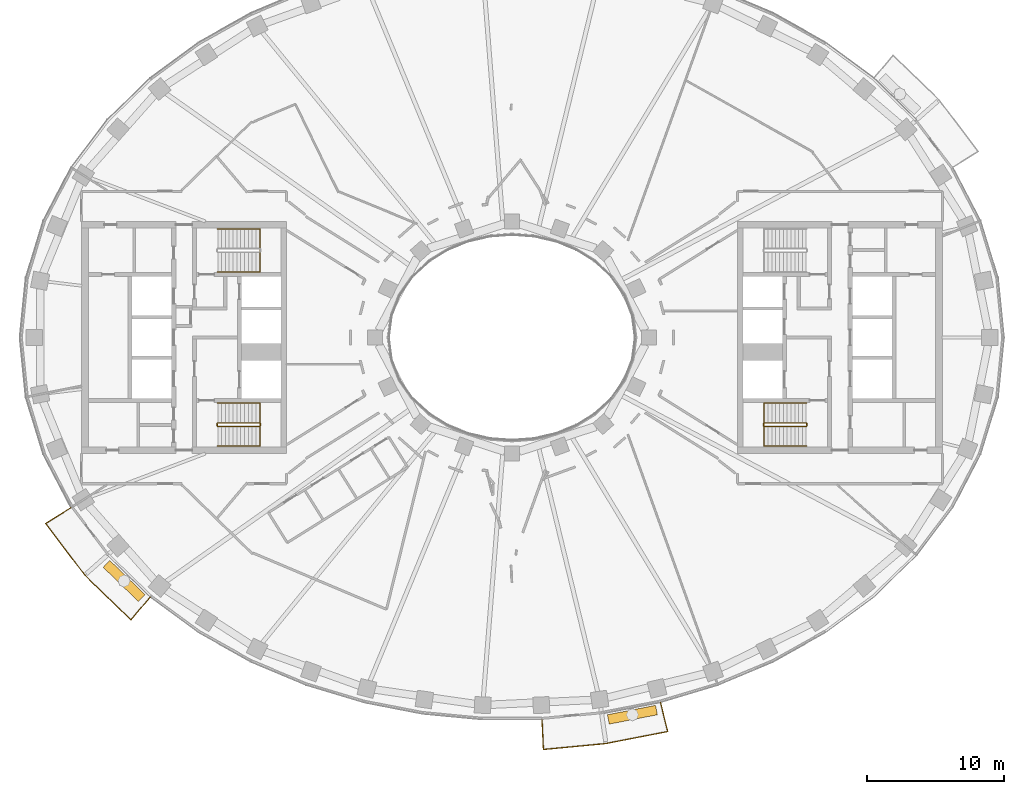
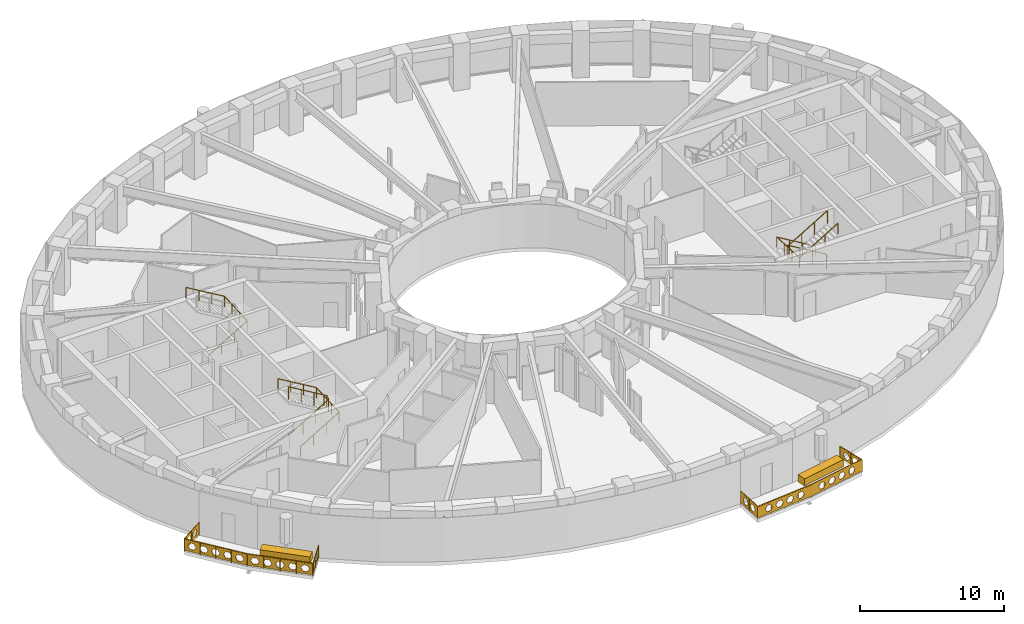
# One storey, part 14 of 16: 7 railings, 2 coverings.
"""IFC4 building model written with IfcOpenShell, lengths in metres."""

from ifc_helpers import new_model, si_unit, direction, frame, origin, origin_2d, place, context, subcontext, project, spatial, polyline, rectangle, outline, extrude, material, type_object, element, save


model = new_model("IFC4")

# Units and contexts
model_context = context("Model", 3, precision=1e-05, world=origin(), true_north=direction((0.0, 1.0)))
body_context = subcontext(model_context, "Body", "Model", "MODEL_VIEW")
ifc_project = project(units=[si_unit("LENGTHUNIT", "METRE"), si_unit("AREAUNIT", "SQUARE_METRE"), si_unit("VOLUMEUNIT", "CUBIC_METRE"), si_unit("PLANEANGLEUNIT", "RADIAN"), si_unit("MASSUNIT", "GRAM", prefix="KILO")], contexts=[model_context])

# Site, building, storey
site_placement = place(None, origin())
site = spatial("IfcSite", under=ifc_project, at=site_placement, CompositionType="ELEMENT")
building_placement = place(site_placement, origin())
building = spatial("IfcBuilding", under=site, at=building_placement, Name="Noorbagh Ring Tower", CompositionType="ELEMENT")
storey_placement = place(building_placement, frame((0.0, 0.0, 150.0)))
storey = spatial("IfcBuildingStorey", under=building, at=storey_placement, Name="L34", CompositionType="ELEMENT", Elevation=150.0)

# Railings
ifc_material_1 = material(Name="Stainless steel", Category="steel")
railing_type_1 = type_object("IfcRailingType", Name="CORE-STAIR-GUARD", PredefinedType="GUARDRAIL", material=ifc_material_1)
railing_1_placement = place(storey_placement, frame((-21.580078125, -6.449951171875, 0.0)))
element("IfcRailing", 1, at=railing_1_placement, inside=storey, type_object=railing_type_1, Name="L34 ST2 stair guard", PredefinedType="GUARDRAIL", context=body_context, shape_type="SweptSolid", body=[
    extrude(rectangle(XDim=0.048095703125, YDim=0.048095703125, at=origin_2d()), frame((0.0, 0.0, 1.076171875), z_axis=(0.0, 1.0, 0.0), x_axis=(-1.0, 0.0, 0.0)), (0.0, 0.0, 1.0), 0.14990234375),
    extrude(rectangle(XDim=0.048095703125, YDim=0.048095703125, at=origin_2d()), frame((0.0, 0.14990234375, 1.076171875), z_axis=(0.188775798145, -0.754182335027, 0.628945707965), x_axis=(0.970072785993, 0.242814311512, 0.0)), (0.0, 0.0, 1.0), 0.26513671875),
    extrude(rectangle(XDim=0.048095703125, YDim=0.048095703125, at=origin_2d()), frame((0.050048828125, -0.050048828125, 1.24267578125), z_axis=(0.859308565015, 0.0, 0.511457515432), x_axis=(0.0, 1.0, 0.0)), (0.0, 0.0, 1.0), 3.58447265625),
    extrude(rectangle(XDim=0.048095703125, YDim=0.048095703125, at=origin_2d()), frame((3.130126953125, -0.050048828125, 3.076171875), z_axis=(0.707106781187, 0.707106781187, 0.0), x_axis=(-0.707106781187, 0.707106781187, 0.0)), (0.0, 0.0, 1.0), 0.07080078125),
    extrude(rectangle(XDim=0.048095703125, YDim=0.048095703125, at=origin_2d()), frame((3.18017578125, 0.0, 3.076171875), z_axis=(0.0, 1.0, 0.0), x_axis=(-1.0, 0.0, 0.0)), (0.0, 0.0, 1.0), 0.14990234375),
    extrude(rectangle(XDim=0.048095703125, YDim=0.048095703125, at=origin_2d()), frame((3.18017578125, 0.14990234375, 3.076171875), z_axis=(-0.27628659633, 0.27628659633, 0.920506074601), x_axis=(-0.707106781187, -0.707106781187, 0.0)), (0.0, 0.0, 1.0), 0.18115234375),
    extrude(rectangle(XDim=0.048095703125, YDim=0.048095703125, at=origin_2d()), frame((3.130126953125, 0.199951171875, 3.24267578125), z_axis=(-0.859308565015, 0.0, 0.511457515432), x_axis=(0.0, -1.0, 0.0)), (0.0, 0.0, 1.0), 3.58447265625),
    extrude(rectangle(XDim=0.0419921875, YDim=0.0419921875, at=origin_2d()), origin(), (0.0, 0.0, 1.0), 1.052001953125),
    extrude(rectangle(XDim=0.0419921875, YDim=0.0419921875, at=origin_2d()), frame((1.07666015625, -0.050048828125, 0.77783203125)), (0.0, 0.0, 1.0), 1.052001953125),
    extrude(rectangle(XDim=0.0419921875, YDim=0.0419921875, at=origin_2d()), frame((2.103515625, -0.050048828125, 1.388916015625)), (0.0, 0.0, 1.0), 1.052001953125),
    extrude(rectangle(XDim=0.0419921875, YDim=0.0419921875, at=origin_2d()), frame((3.130126953125, -0.050048828125, 2.0)), (0.0, 0.0, 1.0), 1.052001953125),
    extrude(rectangle(XDim=0.0419921875, YDim=0.0419921875, at=origin_2d()), frame((3.130126953125, 0.199951171875, 2.166748046875)), (0.0, 0.0, 1.0), 1.052001953125),
    extrude(rectangle(XDim=0.0419921875, YDim=0.0419921875, at=origin_2d()), frame((2.103515625, 0.199951171875, 2.77783203125)), (0.0, 0.0, 1.0), 1.052001953125),
    extrude(rectangle(XDim=0.0419921875, YDim=0.0419921875, at=origin_2d()), frame((1.07666015625, 0.199951171875, 3.388916015625)), (0.0, 0.0, 1.0), 1.052001953125),
    extrude(rectangle(XDim=0.0419921875, YDim=0.0419921875, at=origin_2d()), frame((0.050048828125, 0.199951171875, 4.0)), (0.0, 0.0, 1.0), 1.052001953125),
])
railing_2_placement = place(storey_placement, frame((21.580078125, -6.300048828125, 0.0)))
element("IfcRailing", 2, at=railing_2_placement, inside=storey, type_object=railing_type_1, Name="L34 ST4 stair guard", PredefinedType="GUARDRAIL", context=body_context, shape_type="SweptSolid", body=[
    extrude(rectangle(XDim=0.048095703125, YDim=0.048095703125, at=origin_2d()), frame((0.0, 0.0, 1.076171875), z_axis=(0.0, -1.0, 0.0), x_axis=(1.0, 0.0, 0.0)), (0.0, 0.0, 1.0), 0.14990234375),
    extrude(rectangle(XDim=0.048095703125, YDim=0.048095703125, at=origin_2d()), frame((0.0, -0.14990234375, 1.076171875), z_axis=(-0.188775798145, 0.754182335027, 0.628945707965), x_axis=(-0.970072785993, -0.242814311512, 0.0)), (0.0, 0.0, 1.0), 0.26513671875),
    extrude(rectangle(XDim=0.048095703125, YDim=0.048095703125, at=origin_2d()), frame((-0.050048828125, 0.050048828125, 1.24267578125), z_axis=(-0.859308565015, 0.0, 0.511457515432), x_axis=(0.0, -1.0, 0.0)), (0.0, 0.0, 1.0), 3.58447265625),
    extrude(rectangle(XDim=0.048095703125, YDim=0.048095703125, at=origin_2d()), frame((-3.130126953125, 0.050048828125, 3.076171875), z_axis=(-0.707106781187, -0.707106781187, 0.0), x_axis=(0.707106781187, -0.707106781187, 0.0)), (0.0, 0.0, 1.0), 0.07080078125),
    extrude(rectangle(XDim=0.048095703125, YDim=0.048095703125, at=origin_2d()), frame((-3.18017578125, 0.0, 3.076171875), z_axis=(0.0, -1.0, 0.0), x_axis=(1.0, 0.0, 0.0)), (0.0, 0.0, 1.0), 0.14990234375),
    extrude(rectangle(XDim=0.048095703125, YDim=0.048095703125, at=origin_2d()), frame((-3.18017578125, -0.14990234375, 3.076171875), z_axis=(0.27628659633, -0.27628659633, 0.920506074601), x_axis=(0.707106781187, 0.707106781187, 0.0)), (0.0, 0.0, 1.0), 0.18115234375),
    extrude(rectangle(XDim=0.048095703125, YDim=0.048095703125, at=origin_2d()), frame((-3.130126953125, -0.199951171875, 3.24267578125), z_axis=(0.859308565015, 0.0, 0.511457515432), x_axis=(0.0, 1.0, 0.0)), (0.0, 0.0, 1.0), 3.58447265625),
    extrude(rectangle(XDim=0.0419921875, YDim=0.0419921875, at=origin_2d()), origin(), (0.0, 0.0, 1.0), 1.052001953125),
    extrude(rectangle(XDim=0.0419921875, YDim=0.0419921875, at=origin_2d()), frame((-1.07666015625, 0.050048828125, 0.77783203125)), (0.0, 0.0, 1.0), 1.052001953125),
    extrude(rectangle(XDim=0.0419921875, YDim=0.0419921875, at=origin_2d()), frame((-2.103515625, 0.050048828125, 1.388916015625)), (0.0, 0.0, 1.0), 1.052001953125),
    extrude(rectangle(XDim=0.0419921875, YDim=0.0419921875, at=origin_2d()), frame((-3.130126953125, 0.050048828125, 2.0)), (0.0, 0.0, 1.0), 1.052001953125),
    extrude(rectangle(XDim=0.0419921875, YDim=0.0419921875, at=origin_2d()), frame((-3.130126953125, -0.199951171875, 2.166748046875)), (0.0, 0.0, 1.0), 1.052001953125),
    extrude(rectangle(XDim=0.0419921875, YDim=0.0419921875, at=origin_2d()), frame((-2.103515625, -0.199951171875, 2.77783203125)), (0.0, 0.0, 1.0), 1.052001953125),
    extrude(rectangle(XDim=0.0419921875, YDim=0.0419921875, at=origin_2d()), frame((-1.07666015625, -0.199951171875, 3.388916015625)), (0.0, 0.0, 1.0), 1.052001953125),
    extrude(rectangle(XDim=0.0419921875, YDim=0.0419921875, at=origin_2d()), frame((-0.050048828125, -0.199951171875, 4.0)), (0.0, 0.0, 1.0), 1.052001953125),
])
ifc_material_2 = material(Name="Stainless steel", Category="steel")
railing_type_2 = type_object("IfcRailingType", Name="CORE-STAIR-HANDRAIL", PredefinedType="HANDRAIL", material=ifc_material_2)
railing_3_placement = place(storey_placement, frame((-21.530029296875, 4.800048828125, 0.166748046875)))
element("IfcRailing", 3, at=railing_3_placement, inside=storey, type_object=railing_type_2, Name="L34 ST1 stair handrail", PredefinedType="HANDRAIL", context=body_context, shape_type="SweptSolid", body=[
    extrude(rectangle(XDim=0.048095703125, YDim=0.048095703125, at=origin_2d()), frame((0.0, 0.0, 0.8759765625), z_axis=(0.859308565015, 0.0, 0.511457515432), x_axis=(0.0, 1.0, 0.0)), (0.0, 0.0, 1.0), 3.58447265625),
    extrude(rectangle(XDim=0.048095703125, YDim=0.048095703125, at=origin_2d()), frame((3.080078125, 0.0, 2.708984375), z_axis=(0.0, 0.998601747152, 0.052863509014), x_axis=(-1.0, 0.0, 0.0)), (0.0, 0.0, 1.0), 3.154296875),
    extrude(rectangle(XDim=0.048095703125, YDim=0.048095703125, at=origin_2d()), frame((3.080078125, 3.14990234375, 2.8759765625), z_axis=(-0.859308565015, 0.0, 0.511457515432), x_axis=(0.0, -1.0, 0.0)), (0.0, 0.0, 1.0), 3.58447265625),
    extrude(rectangle(XDim=0.0419921875, YDim=0.0419921875, at=origin_2d()), origin(), (0.0, 0.0, 1.0), 0.851806640625),
    extrude(rectangle(XDim=0.0419921875, YDim=0.0419921875, at=origin_2d()), frame((1.026611328125, 0.0, 0.611083984375)), (0.0, 0.0, 1.0), 0.851806640625),
    extrude(rectangle(XDim=0.0419921875, YDim=0.0419921875, at=origin_2d()), frame((2.053466796875, 0.0, 1.22216796875)), (0.0, 0.0, 1.0), 0.851806640625),
    extrude(rectangle(XDim=0.0419921875, YDim=0.0419921875, at=origin_2d()), frame((3.080078125, 0.0, 1.833251953125)), (0.0, 0.0, 1.0), 0.851806640625),
    extrude(rectangle(XDim=0.0419921875, YDim=0.0419921875, at=origin_2d()), frame((3.080078125, 1.050048828125, 1.888916015625)), (0.0, 0.0, 1.0), 0.851806640625),
    extrude(rectangle(XDim=0.0419921875, YDim=0.0419921875, at=origin_2d()), frame((3.080078125, 2.099853515625, 1.9443359375)), (0.0, 0.0, 1.0), 0.851806640625),
    extrude(rectangle(XDim=0.0419921875, YDim=0.0419921875, at=origin_2d()), frame((3.080078125, 3.14990234375, 2.0)), (0.0, 0.0, 1.0), 0.851806640625),
    extrude(rectangle(XDim=0.0419921875, YDim=0.0419921875, at=origin_2d()), frame((2.053466796875, 3.14990234375, 2.611083984375)), (0.0, 0.0, 1.0), 0.851806640625),
    extrude(rectangle(XDim=0.0419921875, YDim=0.0419921875, at=origin_2d()), frame((1.026611328125, 3.14990234375, 3.22216796875)), (0.0, 0.0, 1.0), 0.851806640625),
    extrude(rectangle(XDim=0.0419921875, YDim=0.0419921875, at=origin_2d()), frame((0.0, 3.14990234375, 3.833251953125)), (0.0, 0.0, 1.0), 0.851806640625),
])
railing_4_placement = place(storey_placement, frame((-21.530029296875, -7.949951171875, 0.166748046875)))
element("IfcRailing", 4, at=railing_4_placement, inside=storey, type_object=railing_type_2, Name="L34 ST2 stair handrail", PredefinedType="HANDRAIL", context=body_context, shape_type="SweptSolid", body=[
    extrude(rectangle(XDim=0.048095703125, YDim=0.048095703125, at=origin_2d()), frame((0.0, 0.0, 0.8759765625), z_axis=(0.859308565015, 0.0, 0.511457515432), x_axis=(0.0, 1.0, 0.0)), (0.0, 0.0, 1.0), 3.58447265625),
    extrude(rectangle(XDim=0.048095703125, YDim=0.048095703125, at=origin_2d()), frame((3.080078125, 0.0, 2.708984375), z_axis=(0.0, 0.998601747152, 0.052863509014), x_axis=(-1.0, 0.0, 0.0)), (0.0, 0.0, 1.0), 3.154296875),
    extrude(rectangle(XDim=0.048095703125, YDim=0.048095703125, at=origin_2d()), frame((3.080078125, 3.14990234375, 2.8759765625), z_axis=(-0.859308565015, 0.0, 0.511457515432), x_axis=(0.0, -1.0, 0.0)), (0.0, 0.0, 1.0), 3.58447265625),
    extrude(rectangle(XDim=0.0419921875, YDim=0.0419921875, at=origin_2d()), origin(), (0.0, 0.0, 1.0), 0.851806640625),
    extrude(rectangle(XDim=0.0419921875, YDim=0.0419921875, at=origin_2d()), frame((1.026611328125, 0.0, 0.611083984375)), (0.0, 0.0, 1.0), 0.851806640625),
    extrude(rectangle(XDim=0.0419921875, YDim=0.0419921875, at=origin_2d()), frame((2.053466796875, 0.0, 1.22216796875)), (0.0, 0.0, 1.0), 0.851806640625),
    extrude(rectangle(XDim=0.0419921875, YDim=0.0419921875, at=origin_2d()), frame((3.080078125, 0.0, 1.833251953125)), (0.0, 0.0, 1.0), 0.851806640625),
    extrude(rectangle(XDim=0.0419921875, YDim=0.0419921875, at=origin_2d()), frame((3.080078125, 1.050048828125, 1.888916015625)), (0.0, 0.0, 1.0), 0.851806640625),
    extrude(rectangle(XDim=0.0419921875, YDim=0.0419921875, at=origin_2d()), frame((3.080078125, 2.099853515625, 1.9443359375)), (0.0, 0.0, 1.0), 0.851806640625),
    extrude(rectangle(XDim=0.0419921875, YDim=0.0419921875, at=origin_2d()), frame((3.080078125, 3.14990234375, 2.0)), (0.0, 0.0, 1.0), 0.851806640625),
    extrude(rectangle(XDim=0.0419921875, YDim=0.0419921875, at=origin_2d()), frame((2.053466796875, 3.14990234375, 2.611083984375)), (0.0, 0.0, 1.0), 0.851806640625),
    extrude(rectangle(XDim=0.0419921875, YDim=0.0419921875, at=origin_2d()), frame((1.026611328125, 3.14990234375, 3.22216796875)), (0.0, 0.0, 1.0), 0.851806640625),
    extrude(rectangle(XDim=0.0419921875, YDim=0.0419921875, at=origin_2d()), frame((0.0, 3.14990234375, 3.833251953125)), (0.0, 0.0, 1.0), 0.851806640625),
])
railing_5_placement = place(storey_placement, frame((21.530029296875, -4.800048828125, 0.166748046875)))
element("IfcRailing", 5, at=railing_5_placement, inside=storey, type_object=railing_type_2, Name="L34 ST4 stair handrail", PredefinedType="HANDRAIL", context=body_context, shape_type="SweptSolid", body=[
    extrude(rectangle(XDim=0.048095703125, YDim=0.048095703125, at=origin_2d()), frame((0.0, 0.0, 0.8759765625), z_axis=(-0.859308565015, 0.0, 0.511457515432), x_axis=(0.0, -1.0, 0.0)), (0.0, 0.0, 1.0), 3.58447265625),
    extrude(rectangle(XDim=0.048095703125, YDim=0.048095703125, at=origin_2d()), frame((-3.080078125, 0.0, 2.708984375), z_axis=(0.0, -0.998601747152, 0.052863509014), x_axis=(1.0, 0.0, 0.0)), (0.0, 0.0, 1.0), 3.154296875),
    extrude(rectangle(XDim=0.048095703125, YDim=0.048095703125, at=origin_2d()), frame((-3.080078125, -3.14990234375, 2.8759765625), z_axis=(0.859308565015, 0.0, 0.511457515432), x_axis=(0.0, 1.0, 0.0)), (0.0, 0.0, 1.0), 3.58447265625),
    extrude(rectangle(XDim=0.0419921875, YDim=0.0419921875, at=origin_2d()), origin(), (0.0, 0.0, 1.0), 0.851806640625),
    extrude(rectangle(XDim=0.0419921875, YDim=0.0419921875, at=origin_2d()), frame((-1.026611328125, 0.0, 0.611083984375)), (0.0, 0.0, 1.0), 0.851806640625),
    extrude(rectangle(XDim=0.0419921875, YDim=0.0419921875, at=origin_2d()), frame((-2.053466796875, 0.0, 1.22216796875)), (0.0, 0.0, 1.0), 0.851806640625),
    extrude(rectangle(XDim=0.0419921875, YDim=0.0419921875, at=origin_2d()), frame((-3.080078125, 0.0, 1.833251953125)), (0.0, 0.0, 1.0), 0.851806640625),
    extrude(rectangle(XDim=0.0419921875, YDim=0.0419921875, at=origin_2d()), frame((-3.080078125, -1.050048828125, 1.888916015625)), (0.0, 0.0, 1.0), 0.851806640625),
    extrude(rectangle(XDim=0.0419921875, YDim=0.0419921875, at=origin_2d()), frame((-3.080078125, -2.099853515625, 1.9443359375)), (0.0, 0.0, 1.0), 0.851806640625),
    extrude(rectangle(XDim=0.0419921875, YDim=0.0419921875, at=origin_2d()), frame((-3.080078125, -3.14990234375, 2.0)), (0.0, 0.0, 1.0), 0.851806640625),
    extrude(rectangle(XDim=0.0419921875, YDim=0.0419921875, at=origin_2d()), frame((-2.053466796875, -3.14990234375, 2.611083984375)), (0.0, 0.0, 1.0), 0.851806640625),
    extrude(rectangle(XDim=0.0419921875, YDim=0.0419921875, at=origin_2d()), frame((-1.026611328125, -3.14990234375, 3.22216796875)), (0.0, 0.0, 1.0), 0.851806640625),
    extrude(rectangle(XDim=0.0419921875, YDim=0.0419921875, at=origin_2d()), frame((0.0, -3.14990234375, 3.833251953125)), (0.0, 0.0, 1.0), 0.851806640625),
])
ifc_material_3 = material(Name="Steel S275 black powder-coated", Category="steel")
railing_type_3 = type_object("IfcRailingType", Name="ENV-GUARD", PredefinedType="GUARDRAIL", material=ifc_material_3)
railing_6_placement = place(storey_placement, frame((-32.255126953125, -12.434814453125, 0.0)))
element("IfcRailing", 6, at=railing_6_placement, inside=storey, type_object=railing_type_3, Name="Balcony guard BS01", PredefinedType="GUARDRAIL", context=body_context, shape_type="SweptSolid", body=[
    extrude(rectangle(XDim=0.048095703125, YDim=0.048095703125, at=origin_2d()), frame((0.0, 0.0, 1.076171875), z_axis=(-0.844852397829, -0.534999463442, 0.0), x_axis=(0.534999463442, -0.844852397829, 0.0)), (0.0, 0.0, 1.0), 2.207763671875),
    extrude(rectangle(XDim=0.048095703125, YDim=0.048095703125, at=origin_2d()), frame((-1.865234375, -1.18115234375, 1.076171875), z_axis=(0.604001613322, -0.796983093362, 0.0), x_axis=(0.796983093362, 0.604001613322, 0.0)), (0.0, 0.0, 1.0), 4.7353515625),
    extrude(rectangle(XDim=0.048095703125, YDim=0.048095703125, at=origin_2d()), frame((0.994873046875, -4.955078125, 1.076171875), z_axis=(0.717212632946, -0.696854388766, 0.0), x_axis=(0.696854388766, 0.717212632946, 0.0)), (0.0, 0.0, 1.0), 4.700927734375),
    extrude(rectangle(XDim=0.048095703125, YDim=0.048095703125, at=origin_2d()), frame((4.366455078125, -8.23095703125, 1.076171875), z_axis=(0.646413574048, 0.762987215677, 0.0), x_axis=(-0.762987215677, 0.646413574048, 0.0)), (0.0, 0.0, 1.0), 2.205322265625),
    extrude(rectangle(XDim=0.0419921875, YDim=0.0419921875, at=origin_2d()), origin(), (0.0, 0.0, 1.0), 1.052001953125),
    extrude(rectangle(XDim=0.0419921875, YDim=0.0419921875, at=origin_2d()), frame((-0.9326171875, -0.590576171875, 0.0)), (0.0, 0.0, 1.0), 1.052001953125),
    extrude(rectangle(XDim=0.0419921875, YDim=0.0419921875, at=origin_2d()), frame((-1.865234375, -1.18115234375, 0.0)), (0.0, 0.0, 1.0), 1.052001953125),
    extrude(rectangle(XDim=0.0419921875, YDim=0.0419921875, at=origin_2d()), frame((-1.150146484375, -2.12451171875, 0.0)), (0.0, 0.0, 1.0), 1.052001953125),
    extrude(rectangle(XDim=0.0419921875, YDim=0.0419921875, at=origin_2d()), frame((-0.43505859375, -3.068115234375, 0.0)), (0.0, 0.0, 1.0), 1.052001953125),
    extrude(rectangle(XDim=0.0419921875, YDim=0.0419921875, at=origin_2d()), frame((0.27978515625, -4.01171875, 0.0)), (0.0, 0.0, 1.0), 1.052001953125),
    extrude(rectangle(XDim=0.0419921875, YDim=0.0419921875, at=origin_2d()), frame((0.994873046875, -4.955078125, 0.0)), (0.0, 0.0, 1.0), 1.052001953125),
    extrude(rectangle(XDim=0.0419921875, YDim=0.0419921875, at=origin_2d()), frame((1.837890625, -5.77392578125, 0.0)), (0.0, 0.0, 1.0), 1.052001953125),
    extrude(rectangle(XDim=0.0419921875, YDim=0.0419921875, at=origin_2d()), frame((2.6806640625, -6.593017578125, 0.0)), (0.0, 0.0, 1.0), 1.052001953125),
    extrude(rectangle(XDim=0.0419921875, YDim=0.0419921875, at=origin_2d()), frame((3.5234375, -7.412109375, 0.0)), (0.0, 0.0, 1.0), 1.052001953125),
    extrude(rectangle(XDim=0.0419921875, YDim=0.0419921875, at=origin_2d()), frame((4.366455078125, -8.23095703125, 0.0)), (0.0, 0.0, 1.0), 1.052001953125),
    extrude(rectangle(XDim=0.0419921875, YDim=0.0419921875, at=origin_2d()), frame((5.0791015625, -7.3896484375, 0.0)), (0.0, 0.0, 1.0), 1.052001953125),
    extrude(rectangle(XDim=0.0419921875, YDim=0.0419921875, at=origin_2d()), frame((5.7919921875, -6.54833984375, 0.0)), (0.0, 0.0, 1.0), 1.052001953125),
    extrude(outline(polyline([(0.0, 0.10009765625), (2.207763671875, 0.10009765625), (2.207763671875, 1.031982421875), (0.0, 1.031982421875), (0.0, 0.10009765625)]), holes=[polyline([(0.9638671875, 0.56591796875), (0.808837890625, 0.83447265625), (0.498779296875, 0.83447265625), (0.343994140625, 0.56591796875), (0.498779296875, 0.297607421875), (0.808837890625, 0.297607421875), (0.9638671875, 0.56591796875)]), polyline([(1.86376953125, 0.56591796875), (1.708984375, 0.83447265625), (1.39892578125, 0.83447265625), (1.243896484375, 0.56591796875), (1.39892578125, 0.297607421875), (1.708984375, 0.297607421875), (1.86376953125, 0.56591796875)])]), frame((0.00537109375, -0.008544921875, 0.0), z_axis=(-0.534999463442, 0.844852397829, 0.0), x_axis=(-0.844852397829, -0.534999463442, 0.0)), (0.0, 0.0, 1.0), 0.02001953125),
    extrude(outline(polyline([(0.0, 0.10009765625), (4.7353515625, 0.10009765625), (4.7353515625, 1.031982421875), (0.0, 1.031982421875), (0.0, 0.10009765625)]), holes=[polyline([(0.877685546875, 0.56591796875), (0.72265625, 0.83447265625), (0.41259765625, 0.83447265625), (0.257568359375, 0.56591796875), (0.41259765625, 0.297607421875), (0.72265625, 0.297607421875), (0.877685546875, 0.56591796875)]), polyline([(1.777587890625, 0.56591796875), (1.62255859375, 0.83447265625), (1.312744140625, 0.83447265625), (1.15771484375, 0.56591796875), (1.312744140625, 0.297607421875), (1.62255859375, 0.297607421875), (1.777587890625, 0.56591796875)]), polyline([(2.677734375, 0.56591796875), (2.522705078125, 0.83447265625), (2.212646484375, 0.83447265625), (2.0576171875, 0.56591796875), (2.212646484375, 0.297607421875), (2.522705078125, 0.297607421875), (2.677734375, 0.56591796875)]), polyline([(3.57763671875, 0.56591796875), (3.422607421875, 0.83447265625), (3.112548828125, 0.83447265625), (2.95751953125, 0.56591796875), (3.112548828125, 0.297607421875), (3.422607421875, 0.297607421875), (3.57763671875, 0.56591796875)]), polyline([(4.4775390625, 0.56591796875), (4.32275390625, 0.83447265625), (4.0126953125, 0.83447265625), (3.857666015625, 0.56591796875), (4.0126953125, 0.297607421875), (4.32275390625, 0.297607421875), (4.4775390625, 0.56591796875)])]), frame((-1.857177734375, -1.175048828125, 0.0), z_axis=(-0.796983093362, -0.604001613322, 0.0), x_axis=(0.604001613322, -0.796983093362, 0.0)), (0.0, 0.0, 1.0), 0.02001953125),
    extrude(outline(polyline([(0.0, 0.10009765625), (4.700927734375, 0.10009765625), (4.700927734375, 1.031982421875), (0.0, 1.031982421875), (0.0, 0.10009765625)]), holes=[polyline([(0.860595703125, 0.56591796875), (0.70556640625, 0.83447265625), (0.3955078125, 0.83447265625), (0.240478515625, 0.56591796875), (0.3955078125, 0.297607421875), (0.70556640625, 0.297607421875), (0.860595703125, 0.56591796875)]), polyline([(1.760498046875, 0.56591796875), (1.60546875, 0.83447265625), (1.29541015625, 0.83447265625), (1.140380859375, 0.56591796875), (1.29541015625, 0.297607421875), (1.60546875, 0.297607421875), (1.760498046875, 0.56591796875)]), polyline([(2.660400390625, 0.56591796875), (2.50537109375, 0.83447265625), (2.195556640625, 0.83447265625), (2.04052734375, 0.56591796875), (2.195556640625, 0.297607421875), (2.50537109375, 0.297607421875), (2.660400390625, 0.56591796875)]), polyline([(3.560546875, 0.56591796875), (3.405517578125, 0.83447265625), (3.095458984375, 0.83447265625), (2.9404296875, 0.56591796875), (3.095458984375, 0.297607421875), (3.405517578125, 0.297607421875), (3.560546875, 0.56591796875)]), polyline([(4.46044921875, 0.56591796875), (4.305419921875, 0.83447265625), (3.995361328125, 0.83447265625), (3.840576171875, 0.56591796875), (3.995361328125, 0.297607421875), (4.305419921875, 0.297607421875), (4.46044921875, 0.56591796875)])]), frame((1.001953125, -4.947998046875, 0.0), z_axis=(-0.696854388766, -0.717212632946, 0.0), x_axis=(0.717212632946, -0.696854388766, 0.0)), (0.0, 0.0, 1.0), 0.02001953125),
    extrude(outline(polyline([(0.0, 0.10009765625), (2.205322265625, 0.10009765625), (2.205322265625, 1.031982421875), (0.0, 1.031982421875), (0.0, 0.10009765625)]), holes=[polyline([(0.962646484375, 0.56591796875), (0.8076171875, 0.83447265625), (0.49755859375, 0.83447265625), (0.342529296875, 0.56591796875), (0.49755859375, 0.297607421875), (0.8076171875, 0.297607421875), (0.962646484375, 0.56591796875)]), polyline([(1.862548828125, 0.56591796875), (1.707763671875, 0.83447265625), (1.397705078125, 0.83447265625), (1.24267578125, 0.56591796875), (1.397705078125, 0.297607421875), (1.707763671875, 0.297607421875), (1.862548828125, 0.56591796875)])]), frame((4.35888671875, -8.224609375, 0.0), z_axis=(0.762987215677, -0.646413574048, 0.0), x_axis=(0.646413574048, 0.762987215677, 0.0)), (0.0, 0.0, 1.0), 0.02001953125),
])
railing_7_placement = place(storey_placement, frame((2.193115234375, -27.947998046875, 0.0)))
element("IfcRailing", 7, at=railing_7_placement, inside=storey, type_object=railing_type_3, Name="Balcony guard BS04", PredefinedType="GUARDRAIL", context=body_context, shape_type="SweptSolid", body=[
    extrude(rectangle(XDim=0.048095703125, YDim=0.048095703125, at=origin_2d()), frame((0.0, 0.0, 1.076171875), z_axis=(0.047554616162, -0.998868639252, 0.0), x_axis=(0.998868639252, 0.047554616162, 0.0)), (0.0, 0.0, 1.0), 2.202392578125),
    extrude(rectangle(XDim=0.048095703125, YDim=0.048095703125, at=origin_2d()), frame((0.104736328125, -2.199951171875, 1.076171875), z_axis=(0.995477555764, 0.094997031379, 0.0), x_axis=(-0.094997031379, 0.995477555764, 0.0)), (0.0, 0.0, 1.0), 4.59765625),
    extrude(rectangle(XDim=0.048095703125, YDim=0.048095703125, at=origin_2d()), frame((4.681640625, -1.76318359375, 1.076171875), z_axis=(0.981625049064, 0.1908199755, 0.0), x_axis=(-0.1908199755, 0.981625049064, 0.0)), (0.0, 0.0, 1.0), 4.603271484375),
    extrude(rectangle(XDim=0.048095703125, YDim=0.048095703125, at=origin_2d()), frame((9.200439453125, -0.884765625, 1.076171875), z_axis=(-0.239848558412, 0.970810315679, 0.0), x_axis=(-0.970810315679, -0.239848558412, 0.0)), (0.0, 0.0, 1.0), 2.20263671875),
    extrude(rectangle(XDim=0.0419921875, YDim=0.0419921875, at=origin_2d()), origin(), (0.0, 0.0, 1.0), 1.052001953125),
    extrude(rectangle(XDim=0.0419921875, YDim=0.0419921875, at=origin_2d()), frame((0.05224609375, -1.10009765625, 0.0)), (0.0, 0.0, 1.0), 1.052001953125),
    extrude(rectangle(XDim=0.0419921875, YDim=0.0419921875, at=origin_2d()), frame((0.104736328125, -2.199951171875, 0.0)), (0.0, 0.0, 1.0), 1.052001953125),
    extrude(rectangle(XDim=0.0419921875, YDim=0.0419921875, at=origin_2d()), frame((1.2490234375, -2.0908203125, 0.0)), (0.0, 0.0, 1.0), 1.052001953125),
    extrude(rectangle(XDim=0.0419921875, YDim=0.0419921875, at=origin_2d()), frame((2.39306640625, -1.9814453125, 0.0)), (0.0, 0.0, 1.0), 1.052001953125),
    extrude(rectangle(XDim=0.0419921875, YDim=0.0419921875, at=origin_2d()), frame((3.537353515625, -1.872314453125, 0.0)), (0.0, 0.0, 1.0), 1.052001953125),
    extrude(rectangle(XDim=0.0419921875, YDim=0.0419921875, at=origin_2d()), frame((4.681640625, -1.76318359375, 0.0)), (0.0, 0.0, 1.0), 1.052001953125),
    extrude(rectangle(XDim=0.0419921875, YDim=0.0419921875, at=origin_2d()), frame((5.811279296875, -1.54345703125, 0.0)), (0.0, 0.0, 1.0), 1.052001953125),
    extrude(rectangle(XDim=0.0419921875, YDim=0.0419921875, at=origin_2d()), frame((6.94091796875, -1.323974609375, 0.0)), (0.0, 0.0, 1.0), 1.052001953125),
    extrude(rectangle(XDim=0.0419921875, YDim=0.0419921875, at=origin_2d()), frame((8.07080078125, -1.1044921875, 0.0)), (0.0, 0.0, 1.0), 1.052001953125),
    extrude(rectangle(XDim=0.0419921875, YDim=0.0419921875, at=origin_2d()), frame((9.200439453125, -0.884765625, 0.0)), (0.0, 0.0, 1.0), 1.052001953125),
    extrude(rectangle(XDim=0.0419921875, YDim=0.0419921875, at=origin_2d()), frame((8.936279296875, 0.1845703125, 0.0)), (0.0, 0.0, 1.0), 1.052001953125),
    extrude(rectangle(XDim=0.0419921875, YDim=0.0419921875, at=origin_2d()), frame((8.672119140625, 1.253662109375, 0.0)), (0.0, 0.0, 1.0), 1.052001953125),
    extrude(outline(polyline([(0.0, 0.10009765625), (2.202392578125, 0.10009765625), (2.202392578125, 1.031982421875), (0.0, 1.031982421875), (0.0, 0.10009765625)]), holes=[polyline([(0.961181640625, 0.56591796875), (0.80615234375, 0.83447265625), (0.496337890625, 0.83447265625), (0.34130859375, 0.56591796875), (0.496337890625, 0.297607421875), (0.80615234375, 0.297607421875), (0.961181640625, 0.56591796875)]), polyline([(1.861328125, 0.56591796875), (1.706298828125, 0.83447265625), (1.396240234375, 0.83447265625), (1.2412109375, 0.56591796875), (1.396240234375, 0.297607421875), (1.706298828125, 0.297607421875), (1.861328125, 0.56591796875)])]), frame((0.010009765625, 0.00048828125, 0.0), z_axis=(-0.998868639252, -0.047554616162, 0.0), x_axis=(0.047554616162, -0.998868639252, 0.0)), (0.0, 0.0, 1.0), 0.02001953125),
    extrude(outline(polyline([(0.0, 0.10009765625), (4.59765625, 0.10009765625), (4.59765625, 1.031982421875), (0.0, 1.031982421875), (0.0, 0.10009765625)]), holes=[polyline([(1.2587890625, 0.56591796875), (1.103759765625, 0.83447265625), (0.7939453125, 0.83447265625), (0.638916015625, 0.56591796875), (0.7939453125, 0.297607421875), (1.103759765625, 0.297607421875), (1.2587890625, 0.56591796875)]), polyline([(2.158935546875, 0.56591796875), (2.00390625, 0.83447265625), (1.69384765625, 0.83447265625), (1.538818359375, 0.56591796875), (1.69384765625, 0.297607421875), (2.00390625, 0.297607421875), (2.158935546875, 0.56591796875)]), polyline([(3.058837890625, 0.56591796875), (2.90380859375, 0.83447265625), (2.59375, 0.83447265625), (2.43896484375, 0.56591796875), (2.59375, 0.297607421875), (2.90380859375, 0.297607421875), (3.058837890625, 0.56591796875)]), polyline([(3.958740234375, 0.56591796875), (3.803955078125, 0.83447265625), (3.493896484375, 0.83447265625), (3.3388671875, 0.56591796875), (3.493896484375, 0.297607421875), (3.803955078125, 0.297607421875), (3.958740234375, 0.56591796875)])]), frame((0.103759765625, -2.18994140625, 0.0), z_axis=(0.094997031379, -0.995477555764, 0.0), x_axis=(0.995477555764, 0.094997031379, 0.0)), (0.0, 0.0, 1.0), 0.02001953125),
    extrude(outline(polyline([(0.0, 0.10009765625), (4.603271484375, 0.10009765625), (4.603271484375, 1.031982421875), (0.0, 1.031982421875), (0.0, 0.10009765625)]), holes=[polyline([(1.26171875, 0.56591796875), (1.106689453125, 0.83447265625), (0.796630859375, 0.83447265625), (0.6416015625, 0.56591796875), (0.796630859375, 0.297607421875), (1.106689453125, 0.297607421875), (1.26171875, 0.56591796875)]), polyline([(2.16162109375, 0.56591796875), (2.006591796875, 0.83447265625), (1.69677734375, 0.83447265625), (1.541748046875, 0.56591796875), (1.69677734375, 0.297607421875), (2.006591796875, 0.297607421875), (2.16162109375, 0.56591796875)]), polyline([(3.061767578125, 0.56591796875), (2.90673828125, 0.83447265625), (2.5966796875, 0.83447265625), (2.441650390625, 0.56591796875), (2.5966796875, 0.297607421875), (2.90673828125, 0.297607421875), (3.061767578125, 0.56591796875)]), polyline([(3.961669921875, 0.56591796875), (3.806640625, 0.83447265625), (3.49658203125, 0.83447265625), (3.341796875, 0.56591796875), (3.49658203125, 0.297607421875), (3.806640625, 0.297607421875), (3.961669921875, 0.56591796875)])]), frame((4.6796875, -1.75341796875, 0.0), z_axis=(0.1908199755, -0.981625049064, 0.0), x_axis=(0.981625049064, 0.1908199755, 0.0)), (0.0, 0.0, 1.0), 0.02001953125),
    extrude(outline(polyline([(0.0, 0.10009765625), (2.20263671875, 0.10009765625), (2.20263671875, 1.031982421875), (0.0, 1.031982421875), (0.0, 0.10009765625)]), holes=[polyline([(0.96142578125, 0.56591796875), (0.806396484375, 0.83447265625), (0.496337890625, 0.83447265625), (0.34130859375, 0.56591796875), (0.496337890625, 0.297607421875), (0.806396484375, 0.297607421875), (0.96142578125, 0.56591796875)]), polyline([(1.861328125, 0.56591796875), (1.706298828125, 0.83447265625), (1.396240234375, 0.83447265625), (1.241455078125, 0.56591796875), (1.396240234375, 0.297607421875), (1.706298828125, 0.297607421875), (1.861328125, 0.56591796875)])]), frame((9.190673828125, -0.88720703125, 0.0), z_axis=(0.970810315679, 0.239848558412, 0.0), x_axis=(-0.239848558412, 0.970810315679, 0.0)), (0.0, 0.0, 1.0), 0.02001953125),
])

# Coverings
ifc_material_4 = material(Name="Concrete C30/37 planter with soil", Category="concrete")
covering_type = type_object("IfcCoveringType", Name="ENV-PLANTER", PredefinedType="CLADDING", material=ifc_material_4)
covering_1_placement = place(storey_placement, frame((-28.3837890625, -17.814208984375, 0.0), z_axis=(0.0, 0.0, 1.0), x_axis=(0.717224548362, -0.696842125038, 0.0)))
element("IfcCovering", 8, at=covering_1_placement, inside=storey, type_object=covering_type, Name="PLANTER BS01", ObjectType="PLANTER", PredefinedType="CLADDING", context=body_context, shape_type="SweptSolid", body=[
    extrude(rectangle(XDim=3.584228515625, YDim=0.699951171875, at=origin_2d()), origin(), (0.0, 0.0, 1.0), 0.60009765625),
])
covering_2_placement = place(storey_placement, frame((8.807861328125, -27.603515625, 0.0), z_axis=(0.0, 0.0, 1.0), x_axis=(0.981624952922, 0.190820470077, 0.0)))
element("IfcCovering", 9, at=covering_2_placement, inside=storey, type_object=covering_type, Name="PLANTER BS04", ObjectType="PLANTER", PredefinedType="CLADDING", context=body_context, shape_type="SweptSolid", body=[
    extrude(rectangle(XDim=3.586181640625, YDim=0.699951171875, at=origin_2d()), origin(), (0.0, 0.0, 1.0), 0.60009765625),
])

save(model, "model.ifc")
